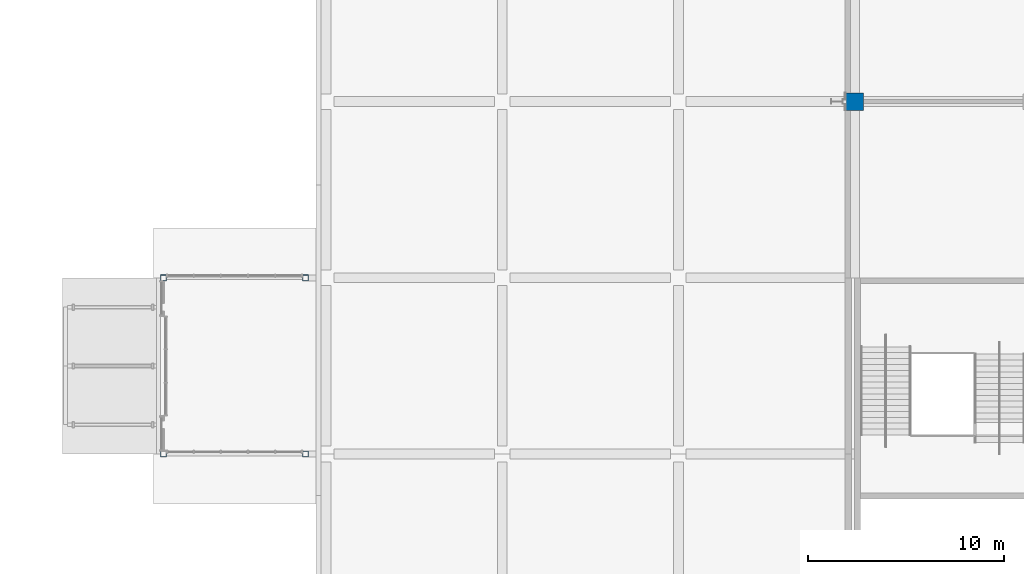
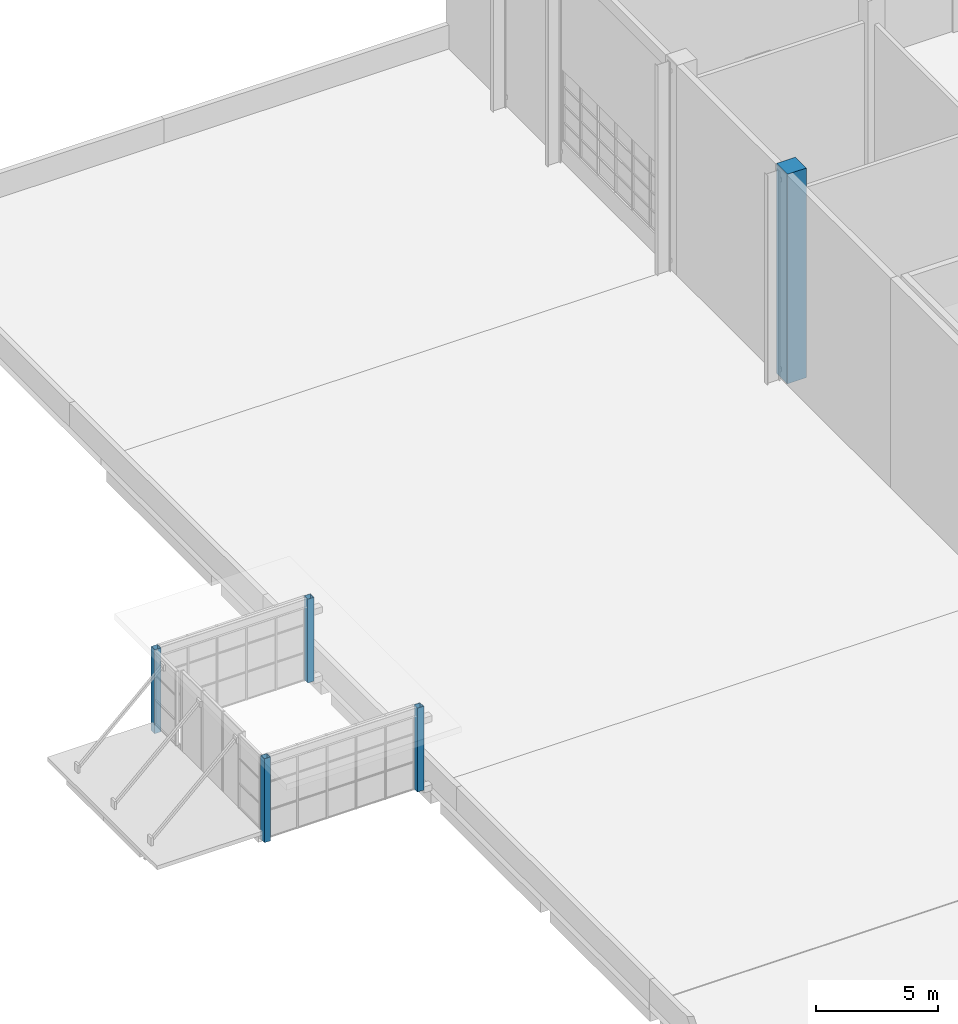
# One storey, part 7 of 182: 5 columns.
"""IFC4 building model written with IfcOpenShell, lengths in metres."""

from ifc_helpers import new_model, si_unit, direction, frame, origin, origin_2d, place, context, subcontext, project, spatial, rectangle, hollow_rectangle, extrude, material, material_profile, profile_set, type_object, element, save


model = new_model("IFC4")

# Units and contexts
model_context = context("Model", 3, precision=1e-05, world=origin(), true_north=direction((0.0, 1.0)))
body_context = subcontext(model_context, "Body", "Model", "MODEL_VIEW")
ifc_project = project(units=[si_unit("LENGTHUNIT", "METRE"), si_unit("AREAUNIT", "SQUARE_METRE"), si_unit("VOLUMEUNIT", "CUBIC_METRE"), si_unit("PLANEANGLEUNIT", "RADIAN"), si_unit("MASSUNIT", "GRAM", prefix="KILO")], contexts=[model_context])

# Site, building, storey
site_placement = place(None, origin())
site = spatial("IfcSite", under=ifc_project, at=site_placement, CompositionType="ELEMENT")
building_placement = place(site_placement, origin())
building = spatial("IfcBuilding", under=site, at=building_placement, Name="Silverbay Arena", CompositionType="ELEMENT")
storey_placement = place(building_placement, frame((0.0, 0.0, 11.5)))
storey = spatial("IfcBuildingStorey", under=building, at=storey_placement, Name="L02", CompositionType="ELEMENT", Elevation=11.5)

# Columns
ifc_material_1 = material(Name="Steel S355", Category="steel")
ifc_material_profile_1 = material_profile(ifc_material_1, hollow_rectangle(XDim=0.300048828125, YDim=0.300048828125, WallThickness=0.012451171875, at=origin_2d()), Name="SHS 300x300x12.5")
ifc_profile_set_1 = profile_set([ifc_material_profile_1], Name="Steel S355")
column_type_1 = type_object("IfcColumnType", Name="Hall column SHS 300x300x12.5", PredefinedType="COLUMN", material=ifc_profile_set_1)
for number, where, z_axis, x_axis, name in (
    (1, (18.699951171875, 99.0, 0.0), (0.0, 0.0, 1.0), (1.0, 0.0, 0.0), "West entrance hall W1 column F1"),
    (2, (25.949951171875, 99.0, 0.0), (0.0, 0.0, 1.0), (1.0, 0.0, 0.0), "West entrance hall W1 column B1"),
    (3, (18.699951171875, 108.0, 0.0), (0.0, 0.0, 1.0), (1.0, 0.0, 0.0), "West entrance hall W1 column F2"),
    (4, (25.949951171875, 108.0, 0.0), (0.0, 0.0, 1.0), (1.0, 0.0, 0.0), "West entrance hall W1 column B2"),
):
    element("IfcColumn", number, at=place(storey_placement, frame(where, z_axis=z_axis, x_axis=x_axis)), inside=storey, type_object=column_type_1, Name=name, PredefinedType="COLUMN", context=body_context, shape_type="SweptSolid", body=[
        extrude(hollow_rectangle(XDim=0.300048828125, YDim=0.300048828125, WallThickness=0.012451171875, at=origin_2d()), origin(), (0.0, 0.0, 1.0), 4.199951171875),
    ])
ifc_material_2 = material(Name="Concrete Grade C45", Category="concrete")
ifc_material_profile_2 = material_profile(ifc_material_2, rectangle(XDim=0.89990234375, YDim=0.89990234375, at=origin_2d()), Name="RC 900x900")
ifc_profile_set_2 = profile_set([ifc_material_profile_2], Name="Concrete Grade C45")
column_type_2 = type_object("IfcColumnType", Name="RC column 900x900", PredefinedType="COLUMN", material=ifc_profile_set_2)
column_placement = place(storey_placement, frame((54.0, 117.0, 0.0), z_axis=(0.0, 0.0, 1.0), x_axis=(1.0, 0.0, 0.0)))
element("IfcColumn", 5, at=column_placement, inside=storey, type_object=column_type_2, Name="Column 7/P L02", PredefinedType="COLUMN", context=body_context, shape_type="SweptSolid", body=[
    extrude(rectangle(XDim=0.89990234375, YDim=0.89990234375, at=origin_2d()), origin(), (0.0, 0.0, 1.0), 10.5),
])

save(model, "model.ifc")
